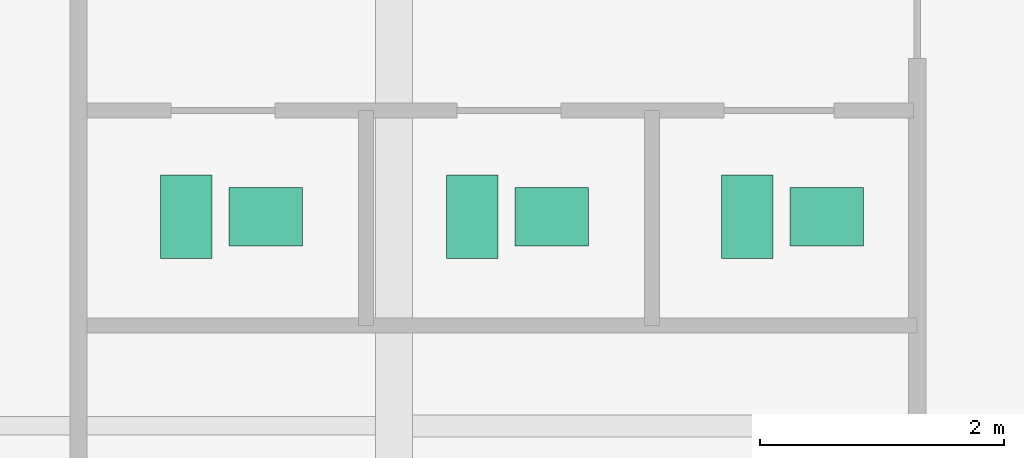
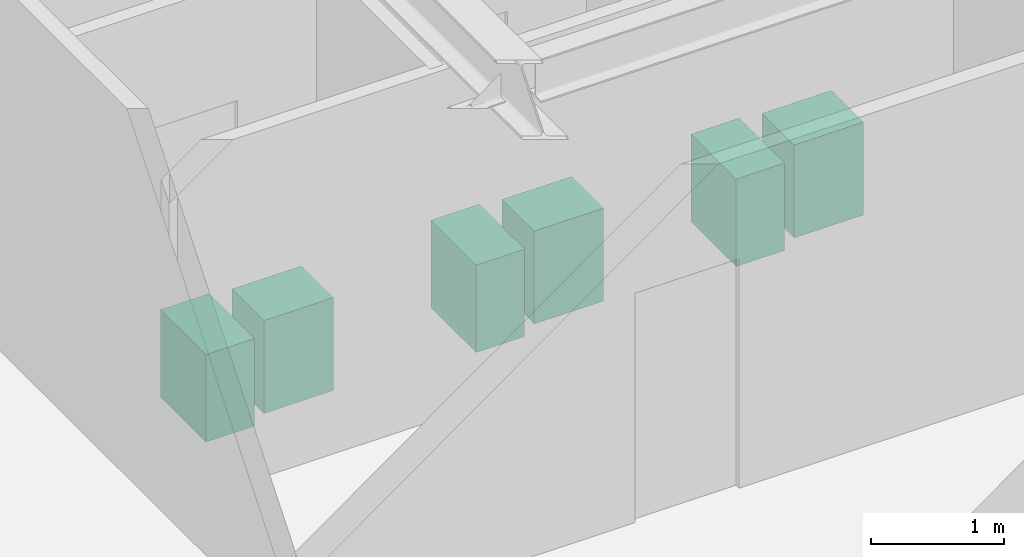
# One storey, part 25 of 25: 6 sanitary terminals.
"""IFC4 building model written with IfcOpenShell, lengths in metres."""

from ifc_helpers import new_model, si_unit, direction, frame, origin, origin_2d, place, context, subcontext, project, spatial, rectangle, extrude, source, transform, mapped, material, type_object, type_shapes, element, save


model = new_model("IFC4")

# Units and contexts
model_context = context("Model", 3, precision=1e-05, world=origin(), true_north=direction((0.0, 1.0)))
body_context = subcontext(model_context, "Body", "Model", "MODEL_VIEW")
ifc_project = project(units=[si_unit("LENGTHUNIT", "METRE"), si_unit("AREAUNIT", "SQUARE_METRE"), si_unit("VOLUMEUNIT", "CUBIC_METRE"), si_unit("PLANEANGLEUNIT", "RADIAN"), si_unit("MASSUNIT", "GRAM", prefix="KILO")], contexts=[model_context])

# Site, building, storey
site_placement = place(None, origin())
site = spatial("IfcSite", under=ifc_project, at=site_placement, CompositionType="ELEMENT")
building_placement = place(site_placement, origin())
building = spatial("IfcBuilding", under=site, at=building_placement, Name="Krantzveldt Concourse Tower", CompositionType="ELEMENT")
storey_placement = place(building_placement, frame((0.0, 0.0, 211.25)))
storey = spatial("IfcBuildingStorey", under=building, at=storey_placement, Name="L51", CompositionType="ELEMENT", Elevation=211.25)

# Sanitary terminals
ifc_material = material(Name="Vitreous china", Category="ceramic")
sanitary_terminal_type_1 = type_object("IfcSanitaryTerminalType", Name="SAN-WC-SUITE", PredefinedType="TOILETPAN", material=ifc_material)
shared_shape_1 = source(origin(), body_context, "Body", "SweptSolid", [
    extrude(rectangle(XDim=0.419921875, YDim=0.679931640625, at=origin_2d()), origin(), (0.0, 0.0, 1.0), 0.800048828125),
])
type_shapes(sanitary_terminal_type_1, [shared_shape_1])
for number, where, z_axis, x_axis, name in (
    (1, (28.89990234375, 31.909912109375, 0.0), (0.0, 0.0, 1.0), (1.0, 0.0, 0.0), "WC-SP-L51-WCM"),
    (2, (31.239990234375, 31.909912109375, 0.0), (0.0, 0.0, 1.0), (1.0, 0.0, 0.0), "WC-SP-L51-WCF"),
    (3, (33.489990234375, 31.909912109375, 0.0), (0.0, 0.0, 1.0), (1.0, 0.0, 0.0), "WC-SP-L51-WCA"),
):
    element("IfcSanitaryTerminal", number, at=place(storey_placement, frame(where, z_axis=z_axis, x_axis=x_axis)), inside=storey, type_object=sanitary_terminal_type_1, Name=name, PredefinedType="TOILETPAN", context=body_context, shape_type="MappedRepresentation", body=[
        mapped(shared_shape_1, transform((0.0, 0.0, 0.0), x_axis=(1.0, 0.0, 0.0), y_axis=(0.0, 1.0, 0.0), z_axis=(0.0, 0.0, 1.0), scale=1.0)),
    ])
sanitary_terminal_type_2 = type_object("IfcSanitaryTerminalType", Name="SAN-BASIN-600", PredefinedType="WASHHANDBASIN", material=ifc_material)
shared_shape_2 = source(origin(), body_context, "Body", "SweptSolid", [
    extrude(rectangle(XDim=0.60009765625, YDim=0.47998046875, at=origin_2d()), origin(), (0.0, 0.0, 1.0), 0.85009765625),
])
type_shapes(sanitary_terminal_type_2, [shared_shape_2])
for number, where, z_axis, x_axis, name in (
    (4, (29.550048828125, 31.909912109375, 0.0048828125), (0.0, 0.0, 1.0), (1.0, 0.0, 0.0), "BSN-SP-L51-WCM"),
    (5, (31.889892578125, 31.909912109375, 0.0048828125), (0.0, 0.0, 1.0), (1.0, 0.0, 0.0), "BSN-SP-L51-WCF"),
    (6, (34.139892578125, 31.909912109375, 0.0048828125), (0.0, 0.0, 1.0), (1.0, 0.0, 0.0), "BSN-SP-L51-WCA"),
):
    element("IfcSanitaryTerminal", number, at=place(storey_placement, frame(where, z_axis=z_axis, x_axis=x_axis)), inside=storey, type_object=sanitary_terminal_type_2, Name=name, PredefinedType="WASHHANDBASIN", context=body_context, shape_type="MappedRepresentation", body=[
        mapped(shared_shape_2, transform((0.0, 0.0, 0.0), x_axis=(1.0, 0.0, 0.0), y_axis=(0.0, 1.0, 0.0), z_axis=(0.0, 0.0, 1.0), scale=1.0)),
    ])

save(model, "model.ifc")
